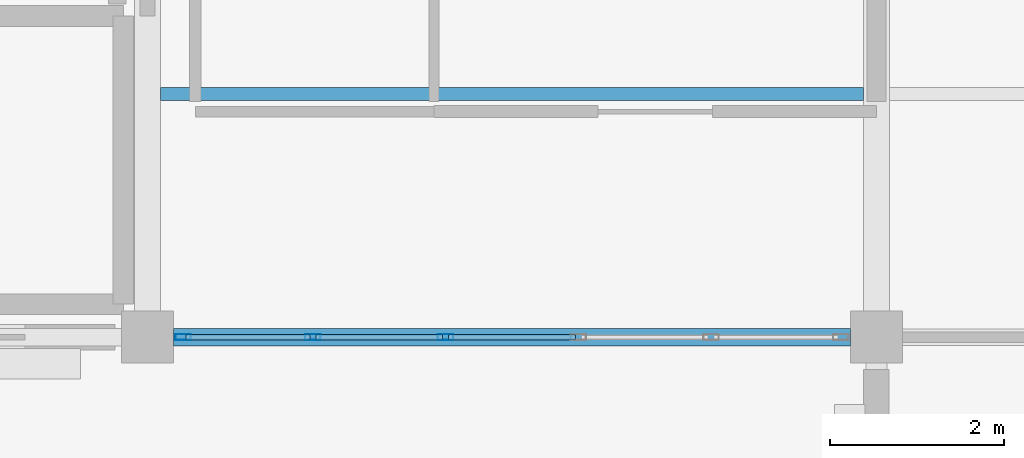
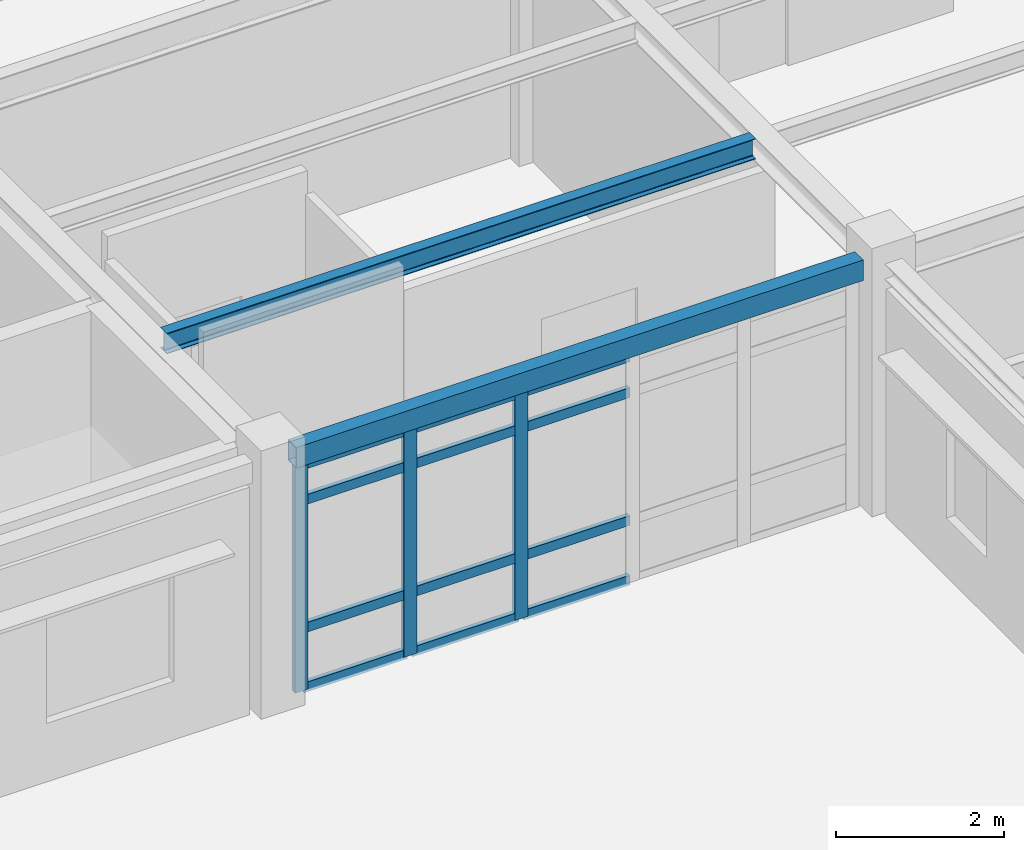
# One storey, part 17 of 86: 15 members, 2 beams, 1 element without a shape of its own.
"""IFC4 building model written with IfcOpenShell, lengths in metres."""

from ifc_helpers import new_model, si_unit, direction, frame, origin, origin_2d, place, context, subcontext, project, spatial, hollow_rectangle, i_section, extrude, material, layer, layer_set, material_profile, profile_set, type_object, element, aggregate, save


model = new_model("IFC4")

# Units and contexts
model_context = context("Model", 3, precision=1e-05, world=origin(), true_north=direction((0.0, 1.0)))
body_context = subcontext(model_context, "Body", "Model", "MODEL_VIEW")
ifc_project = project(units=[si_unit("LENGTHUNIT", "METRE"), si_unit("AREAUNIT", "SQUARE_METRE"), si_unit("VOLUMEUNIT", "CUBIC_METRE"), si_unit("PLANEANGLEUNIT", "RADIAN"), si_unit("MASSUNIT", "GRAM", prefix="KILO")], contexts=[model_context])

# Site, building, storey
site_placement = place(None, origin())
site = spatial("IfcSite", under=ifc_project, at=site_placement, CompositionType="ELEMENT")
building_placement = place(site_placement, origin())
building = spatial("IfcBuilding", under=site, at=building_placement, Name="Bramfleet General Hospital", CompositionType="ELEMENT")
storey_placement = place(building_placement, frame((0.0, 0.0, 18.60009765625)))
storey = spatial("IfcBuildingStorey", under=building, at=storey_placement, Name="L04", CompositionType="ELEMENT", Elevation=18.60009765625)

# Beams
ifc_material_1 = material(Name="Steel S355", Category="steel")
ifc_material_profile_1 = material_profile(ifc_material_1, i_section(OverallWidth=0.14990234375, OverallDepth=0.300048828125, WebThickness=0.007080078125, FlangeThickness=0.0107421875, FilletRadius=0.014892578125, at=origin_2d()), Name="IPE 300")
ifc_profile_set_1 = profile_set([ifc_material_profile_1], Name="Steel S355")
beam_type_1 = type_object("IfcBeamType", Name="BM-IPE300", PredefinedType="JOIST", material=ifc_profile_set_1)
beam_1_placement = place(storey_placement, frame((84.14990234375, 95.199951171875, 3.469970703125), z_axis=(1.0, 0.0, 0.0), x_axis=(0.0, 1.0, 0.0)))
element("IfcBeam", 1, at=beam_1_placement, inside=storey, type_object=beam_type_1, Name="L04 Secondary Joist 10-11-1", PredefinedType="JOIST", context=body_context, shape_type="SweptSolid", body=[
    extrude(i_section(OverallWidth=0.14990234375, OverallDepth=0.300048828125, WebThickness=0.007080078125, FlangeThickness=0.0107421875, FilletRadius=0.014892578125, at=origin_2d()), origin(), (0.0, 0.0, 1.0), 8.10009765625),
])
ifc_material_profile_2 = material_profile(ifc_material_1, hollow_rectangle(XDim=0.199951171875, YDim=0.300048828125, WallThickness=0.012451171875, at=origin_2d()), Name="RHS 300x200x12.5")
ifc_profile_set_2 = profile_set([ifc_material_profile_2], Name="Steel S355")
beam_type_2 = type_object("IfcBeamType", Name="BM-RHS300", PredefinedType="SPANDREL", material=ifc_profile_set_2)
beam_2_placement = place(storey_placement, frame((84.300048828125, 92.39990234375, 3.469970703125), z_axis=(1.0, 0.0, 0.0), x_axis=(0.0, 1.0, 0.0)))
element("IfcBeam", 2, at=beam_2_placement, inside=storey, type_object=beam_type_2, Name="L04 Grid Beam X 10-11", PredefinedType="SPANDREL", context=body_context, shape_type="SweptSolid", body=[
    extrude(hollow_rectangle(XDim=0.199951171875, YDim=0.300048828125, WallThickness=0.012451171875, at=origin_2d()), origin(), (0.0, 0.0, 1.0), 7.800048828125),
])

# Curtain wall, members
ifc_material_2 = material(Name="Anodised aluminium and low-E triple glazing", Category="aluminium")
ifc_layer = layer(ifc_material_2, 0.179931640625, Name="CWT-CW-01")
ifc_layer_set = layer_set([ifc_layer], Name="Anodised aluminium and low-E triple glazing")
curtain_wall_type = type_object("IfcCurtainWallType", Name="CWT-CW-01", PredefinedType="USERDEFINED", material=ifc_layer_set)
curtain_wall_placement = place(storey_placement, origin())
curtain_wall = element("IfcCurtainWall", 3, at=curtain_wall_placement, inside=storey, type_object=curtain_wall_type, Name="L04 Curtain Wall 199", ObjectType="Unitised curtain wall", PredefinedType="USERDEFINED")
ifc_material_3 = material(Name="Anodised aluminium EN AW-6060", Category="aluminium")
ifc_material_profile_3 = material_profile(ifc_material_3, hollow_rectangle(XDim=0.070068359375, YDim=0.179931640625, WallThickness=0.00390625, at=origin_2d()), Name="ALU 180x70x4.0")
ifc_profile_set_3 = profile_set([ifc_material_profile_3], Name="Anodised aluminium EN AW-6060")
member_type_1 = type_object("IfcMemberType", Name="CWM-ALU180", PredefinedType="MULLION", material=ifc_profile_set_3)
member_1_placement = place(storey_placement, frame((87.43505859375, 92.39990234375, 0.0), z_axis=(0.0, 0.0, 1.0), x_axis=(0.0, -1.0, 0.0)))
member_1 = element("IfcMember", 4, at=member_1_placement, type_object=member_type_1, Name="CW-01 mullion 4", PredefinedType="MULLION", context=body_context, shape_type="SweptSolid", body=[
    extrude(hollow_rectangle(XDim=0.070068359375, YDim=0.179931640625, WallThickness=0.00390625, at=origin_2d()), origin(), (0.0, 0.0, 1.0), 3.309814453125),
])
member_2_placement = place(storey_placement, frame((85.905029296875, 92.39990234375, 0.0), z_axis=(0.0, 0.0, 1.0), x_axis=(0.0, -1.0, 0.0)))
member_2 = element("IfcMember", 5, at=member_2_placement, type_object=member_type_1, Name="CW-01 mullion 5", PredefinedType="MULLION", context=body_context, shape_type="SweptSolid", body=[
    extrude(hollow_rectangle(XDim=0.070068359375, YDim=0.179931640625, WallThickness=0.00390625, at=origin_2d()), origin(), (0.0, 0.0, 1.0), 3.309814453125),
])
member_3_placement = place(storey_placement, frame((84.409912109375, 92.39990234375, 0.0), z_axis=(0.0, 0.0, 1.0), x_axis=(0.0, -1.0, 0.0)))
member_3 = element("IfcMember", 6, at=member_3_placement, type_object=member_type_1, Name="CW-01 mullion 6", PredefinedType="MULLION", context=body_context, shape_type="SweptSolid", body=[
    extrude(hollow_rectangle(XDim=0.070068359375, YDim=0.179931640625, WallThickness=0.00390625, at=origin_2d()), origin(), (0.0, 0.0, 1.0), 3.309814453125),
])
ifc_material_profile_4 = material_profile(ifc_material_3, hollow_rectangle(XDim=0.06494140625, YDim=0.139892578125, WallThickness=0.00390625, at=origin_2d()), Name="ALU 140x65x4.0")
ifc_profile_set_4 = profile_set([ifc_material_profile_4], Name="Anodised aluminium EN AW-6060")
member_type_2 = type_object("IfcMemberType", Name="CWT-ALU140", PredefinedType="USERDEFINED", material=ifc_profile_set_4)
member_4_placement = place(storey_placement, frame((88.929931640625, 92.39990234375, 0.032470703125), z_axis=(-1.0, 0.0, 0.0), x_axis=(0.0, -1.0, 0.0)))
member_4 = element("IfcMember", 7, at=member_4_placement, type_object=member_type_2, Name="CW-01 transom 3.1", ObjectType="TRANSOM", PredefinedType="USERDEFINED", context=body_context, shape_type="SweptSolid", body=[
    extrude(hollow_rectangle(XDim=0.06494140625, YDim=0.139892578125, WallThickness=0.00390625, at=origin_2d()), origin(), (0.0, 0.0, 1.0), 1.4599609375),
])
member_5_placement = place(storey_placement, frame((88.929931640625, 92.39990234375, 0.89990234375), z_axis=(-1.0, 0.0, 0.0), x_axis=(0.0, -1.0, 0.0)))
member_5 = element("IfcMember", 8, at=member_5_placement, type_object=member_type_2, Name="CW-01 transom 3.2", ObjectType="TRANSOM", PredefinedType="USERDEFINED", context=body_context, shape_type="SweptSolid", body=[
    extrude(hollow_rectangle(XDim=0.06494140625, YDim=0.139892578125, WallThickness=0.00390625, at=origin_2d()), origin(), (0.0, 0.0, 1.0), 1.4599609375),
])
member_6_placement = place(storey_placement, frame((88.929931640625, 92.39990234375, 2.760009765625), z_axis=(-1.0, 0.0, 0.0), x_axis=(0.0, -1.0, 0.0)))
member_6 = element("IfcMember", 9, at=member_6_placement, type_object=member_type_2, Name="CW-01 transom 3.3", ObjectType="TRANSOM", PredefinedType="USERDEFINED", context=body_context, shape_type="SweptSolid", body=[
    extrude(hollow_rectangle(XDim=0.06494140625, YDim=0.139892578125, WallThickness=0.00390625, at=origin_2d()), origin(), (0.0, 0.0, 1.0), 1.4599609375),
])
member_7_placement = place(storey_placement, frame((88.929931640625, 92.39990234375, 3.27734375), z_axis=(-1.0, 0.0, 0.0), x_axis=(0.0, -1.0, 0.0)))
member_7 = element("IfcMember", 10, at=member_7_placement, type_object=member_type_2, Name="CW-01 transom 3.4", ObjectType="TRANSOM", PredefinedType="USERDEFINED", context=body_context, shape_type="SweptSolid", body=[
    extrude(hollow_rectangle(XDim=0.06494140625, YDim=0.139892578125, WallThickness=0.00390625, at=origin_2d()), origin(), (0.0, 0.0, 1.0), 1.4599609375),
])
member_8_placement = place(storey_placement, frame((87.39990234375, 92.39990234375, 0.032470703125), z_axis=(-1.0, 0.0, 0.0), x_axis=(0.0, -1.0, 0.0)))
member_8 = element("IfcMember", 11, at=member_8_placement, type_object=member_type_2, Name="CW-01 transom 4.1", ObjectType="TRANSOM", PredefinedType="USERDEFINED", context=body_context, shape_type="SweptSolid", body=[
    extrude(hollow_rectangle(XDim=0.06494140625, YDim=0.139892578125, WallThickness=0.00390625, at=origin_2d()), origin(), (0.0, 0.0, 1.0), 1.4599609375),
])
member_9_placement = place(storey_placement, frame((87.39990234375, 92.39990234375, 0.89990234375), z_axis=(-1.0, 0.0, 0.0), x_axis=(0.0, -1.0, 0.0)))
member_9 = element("IfcMember", 12, at=member_9_placement, type_object=member_type_2, Name="CW-01 transom 4.2", ObjectType="TRANSOM", PredefinedType="USERDEFINED", context=body_context, shape_type="SweptSolid", body=[
    extrude(hollow_rectangle(XDim=0.06494140625, YDim=0.139892578125, WallThickness=0.00390625, at=origin_2d()), origin(), (0.0, 0.0, 1.0), 1.4599609375),
])
member_10_placement = place(storey_placement, frame((87.39990234375, 92.39990234375, 2.760009765625), z_axis=(-1.0, 0.0, 0.0), x_axis=(0.0, -1.0, 0.0)))
member_10 = element("IfcMember", 13, at=member_10_placement, type_object=member_type_2, Name="CW-01 transom 4.3", ObjectType="TRANSOM", PredefinedType="USERDEFINED", context=body_context, shape_type="SweptSolid", body=[
    extrude(hollow_rectangle(XDim=0.06494140625, YDim=0.139892578125, WallThickness=0.00390625, at=origin_2d()), origin(), (0.0, 0.0, 1.0), 1.4599609375),
])
member_11_placement = place(storey_placement, frame((87.39990234375, 92.39990234375, 3.27734375), z_axis=(-1.0, 0.0, 0.0), x_axis=(0.0, -1.0, 0.0)))
member_11 = element("IfcMember", 14, at=member_11_placement, type_object=member_type_2, Name="CW-01 transom 4.4", ObjectType="TRANSOM", PredefinedType="USERDEFINED", context=body_context, shape_type="SweptSolid", body=[
    extrude(hollow_rectangle(XDim=0.06494140625, YDim=0.139892578125, WallThickness=0.00390625, at=origin_2d()), origin(), (0.0, 0.0, 1.0), 1.4599609375),
])
member_12_placement = place(storey_placement, frame((85.8701171875, 92.39990234375, 0.032470703125), z_axis=(-1.0, 0.0, 0.0), x_axis=(0.0, -1.0, 0.0)))
member_12 = element("IfcMember", 15, at=member_12_placement, type_object=member_type_2, Name="CW-01 transom 5.1", ObjectType="TRANSOM", PredefinedType="USERDEFINED", context=body_context, shape_type="SweptSolid", body=[
    extrude(hollow_rectangle(XDim=0.06494140625, YDim=0.139892578125, WallThickness=0.00390625, at=origin_2d()), origin(), (0.0, 0.0, 1.0), 1.425048828125),
])
member_13_placement = place(storey_placement, frame((85.8701171875, 92.39990234375, 0.89990234375), z_axis=(-1.0, 0.0, 0.0), x_axis=(0.0, -1.0, 0.0)))
member_13 = element("IfcMember", 16, at=member_13_placement, type_object=member_type_2, Name="CW-01 transom 5.2", ObjectType="TRANSOM", PredefinedType="USERDEFINED", context=body_context, shape_type="SweptSolid", body=[
    extrude(hollow_rectangle(XDim=0.06494140625, YDim=0.139892578125, WallThickness=0.00390625, at=origin_2d()), origin(), (0.0, 0.0, 1.0), 1.425048828125),
])
member_14_placement = place(storey_placement, frame((85.8701171875, 92.39990234375, 2.760009765625), z_axis=(-1.0, 0.0, 0.0), x_axis=(0.0, -1.0, 0.0)))
member_14 = element("IfcMember", 17, at=member_14_placement, type_object=member_type_2, Name="CW-01 transom 5.3", ObjectType="TRANSOM", PredefinedType="USERDEFINED", context=body_context, shape_type="SweptSolid", body=[
    extrude(hollow_rectangle(XDim=0.06494140625, YDim=0.139892578125, WallThickness=0.00390625, at=origin_2d()), origin(), (0.0, 0.0, 1.0), 1.425048828125),
])
member_15_placement = place(storey_placement, frame((85.8701171875, 92.39990234375, 3.27734375), z_axis=(-1.0, 0.0, 0.0), x_axis=(0.0, -1.0, 0.0)))
member_15 = element("IfcMember", 18, at=member_15_placement, type_object=member_type_2, Name="CW-01 transom 5.4", ObjectType="TRANSOM", PredefinedType="USERDEFINED", context=body_context, shape_type="SweptSolid", body=[
    extrude(hollow_rectangle(XDim=0.06494140625, YDim=0.139892578125, WallThickness=0.00390625, at=origin_2d()), origin(), (0.0, 0.0, 1.0), 1.425048828125),
])
aggregate(curtain_wall, [member_1, member_2, member_3, member_4, member_5, member_6, member_7, member_8, member_9, member_10, member_11, member_12, member_13, member_14, member_15])

save(model, "model.ifc")
